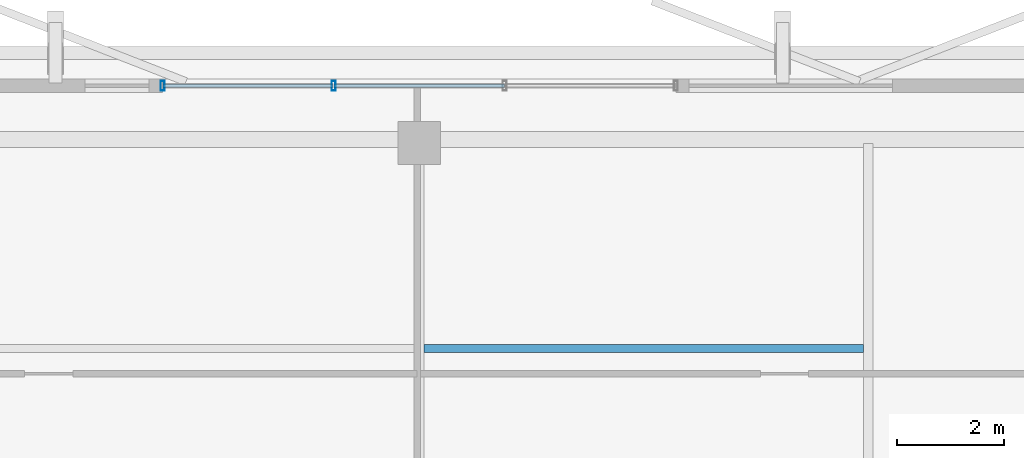
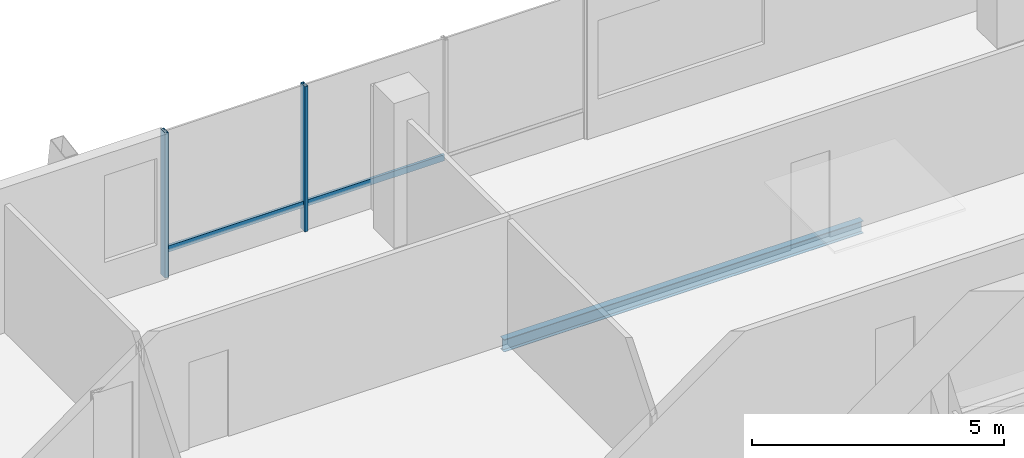
# One storey, part 10 of 17: 4 members, 1 beam, 1 element without a shape of its own.
"""IFC4 building model written with IfcOpenShell, lengths in metres."""

from ifc_helpers import new_model, si_unit, direction, frame, origin, origin_2d, place, context, subcontext, project, spatial, hollow_rectangle, i_section, extrude, material, layer, layer_set, material_profile, profile_set, type_object, element, aggregate, save


model = new_model("IFC4")

# Units and contexts
model_context = context("Model", 3, precision=1e-05, world=origin(), true_north=direction((0.0, 1.0)))
body_context = subcontext(model_context, "Body", "Model", "MODEL_VIEW")
ifc_project = project(units=[si_unit("LENGTHUNIT", "METRE"), si_unit("AREAUNIT", "SQUARE_METRE"), si_unit("VOLUMEUNIT", "CUBIC_METRE"), si_unit("PLANEANGLEUNIT", "RADIAN"), si_unit("MASSUNIT", "GRAM", prefix="KILO")], contexts=[model_context])

# Site, building, storey
site_placement = place(None, origin())
site = spatial("IfcSite", under=ifc_project, at=site_placement, CompositionType="ELEMENT")
building_placement = place(site_placement, origin())
building = spatial("IfcBuilding", under=site, at=building_placement, Name="Belovzor Exchange Tower", CompositionType="ELEMENT")
storey_placement = place(building_placement, frame((0.0, 0.0, 333.0)))
storey = spatial("IfcBuildingStorey", under=building, at=storey_placement, Name="L83", CompositionType="ELEMENT", Elevation=333.0)

# Beam
ifc_material_1 = material(Name="Steel S355", Category="steel")
ifc_material_profile_1 = material_profile(ifc_material_1, i_section(OverallWidth=0.14990234375, OverallDepth=0.300048828125, WebThickness=0.007080078125, FlangeThickness=0.0107421875, at=origin_2d()))
ifc_profile_set_1 = profile_set([ifc_material_profile_1], Name="Steel S355")
beam_type = type_object("IfcBeamType", Name="Secondary Trim Floor Joist IPE 300", PredefinedType="BEAM", material=ifc_profile_set_1)
beam_placement = place(storey_placement, frame((28.889892578125, 45.950927734375, -0.389892578125), z_axis=(1.0, 0.0, 0.0), x_axis=(0.0, 1.0, 0.0)))
element("IfcBeam", 1, at=beam_placement, inside=storey, type_object=beam_type, Name="FJ-300 Secondary Trim Floor Joist IPE 300", PredefinedType="BEAM", context=body_context, shape_type="SweptSolid", body=[
    extrude(i_section(OverallWidth=0.14990234375, OverallDepth=0.300048828125, WebThickness=0.007080078125, FlangeThickness=0.0107421875, at=origin_2d()), origin(), (0.0, 0.0, 1.0), 8.22021484375),
])

# Curtain wall, members
ifc_material_2 = material(Name="Anodised Aluminium Framing", Category="aluminium")
ifc_layer = layer(ifc_material_2, 0.179931640625)
ifc_layer_set = layer_set([ifc_layer], Name="Anodised Aluminium Framing")
curtain_wall_type = type_object("IfcCurtainWallType", Name="Recessed Loggia Low-Iron Triple-Glazed Curtain Wall", PredefinedType="NOTDEFINED", material=ifc_layer_set)
curtain_wall_placement = place(storey_placement, origin())
curtain_wall = element("IfcCurtainWall", 2, at=curtain_wall_placement, inside=storey, type_object=curtain_wall_type, Name="CW3 Recessed Loggia Low-Iron Triple-Glazed Curtain Wall L83", PredefinedType="NOTDEFINED")
ifc_material_3 = material(Name="Steel S355", Category="steel")
ifc_material_profile_2 = material_profile(ifc_material_3, hollow_rectangle(XDim=0.074951171875, YDim=0.179931640625, WallThickness=0.0048828125, at=origin_2d()))
ifc_profile_set_2 = profile_set([ifc_material_profile_2], Name="Steel S355")
member_type_1 = type_object("IfcMemberType", Name="Thermally Broken Curtain Wall Mullion 180x75", PredefinedType="MULLION", material=ifc_profile_set_2)
member_1_placement = place(storey_placement, frame((24.0, 50.8701171875, 0.0), z_axis=(0.0, 0.0, 1.0), x_axis=(1.0, 0.0, 0.0)))
member_1 = element("IfcMember", 3, at=member_1_placement, type_object=member_type_1, Name="CW-M180 Curtain Wall Mullion 1", PredefinedType="MULLION", context=body_context, shape_type="SweptSolid", body=[
    extrude(hollow_rectangle(XDim=0.074951171875, YDim=0.179931640625, WallThickness=0.0048828125, at=origin_2d()), origin(), (0.0, 0.0, 1.0), 3.510009765625),
])
member_2_placement = place(storey_placement, frame((27.199951171875, 50.8701171875, 0.0), z_axis=(0.0, 0.0, 1.0), x_axis=(1.0, 0.0, 0.0)))
member_2 = element("IfcMember", 4, at=member_2_placement, type_object=member_type_1, Name="CW-M180 Curtain Wall Mullion 2", PredefinedType="MULLION", context=body_context, shape_type="SweptSolid", body=[
    extrude(hollow_rectangle(XDim=0.074951171875, YDim=0.179931640625, WallThickness=0.0048828125, at=origin_2d()), origin(), (0.0, 0.0, 1.0), 3.510009765625),
])
ifc_material_4 = material(Name="Steel S355", Category="steel")
ifc_material_profile_3 = material_profile(ifc_material_4, hollow_rectangle(XDim=0.06005859375, YDim=0.14990234375, WallThickness=0.00390625, at=origin_2d()))
ifc_profile_set_3 = profile_set([ifc_material_profile_3], Name="Steel S355")
member_type_2 = type_object("IfcMemberType", Name="Thermally Broken Curtain Wall Transom 150x60", PredefinedType="USERDEFINED", material=ifc_profile_set_3)
member_3_placement = place(storey_placement, frame((24.008056640625, 50.8701171875, 0.632080078125), z_axis=(1.0, 0.0, 0.0), x_axis=(0.0, 1.0, 0.0)))
member_3 = element("IfcMember", 5, at=member_3_placement, type_object=member_type_2, Name="CW-T150 Curtain Wall Transom 1", ObjectType="TRANSOM", PredefinedType="USERDEFINED", context=body_context, shape_type="SweptSolid", body=[
    extrude(hollow_rectangle(XDim=0.06005859375, YDim=0.14990234375, WallThickness=0.00390625, at=origin_2d()), origin(), (0.0, 0.0, 1.0), 3.183837890625),
])
member_4_placement = place(storey_placement, frame((27.2080078125, 50.8701171875, 0.632080078125), z_axis=(1.0, 0.0, 0.0), x_axis=(0.0, 1.0, 0.0)))
member_4 = element("IfcMember", 6, at=member_4_placement, type_object=member_type_2, Name="CW-T150 Curtain Wall Transom 2", ObjectType="TRANSOM", PredefinedType="USERDEFINED", context=body_context, shape_type="SweptSolid", body=[
    extrude(hollow_rectangle(XDim=0.06005859375, YDim=0.14990234375, WallThickness=0.00390625, at=origin_2d()), origin(), (0.0, 0.0, 1.0), 3.18408203125),
])
aggregate(curtain_wall, [member_1, member_2, member_3, member_4])

save(model, "model.ifc")
